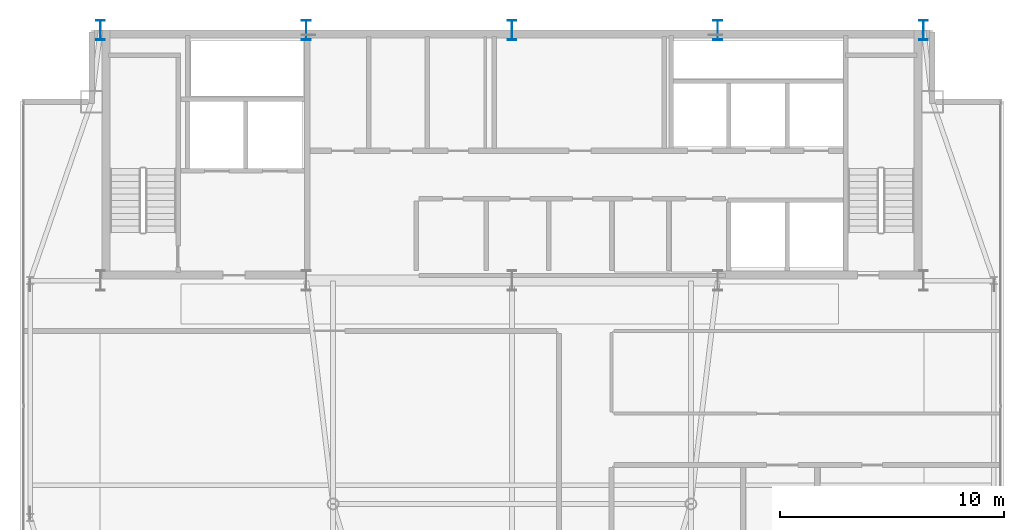
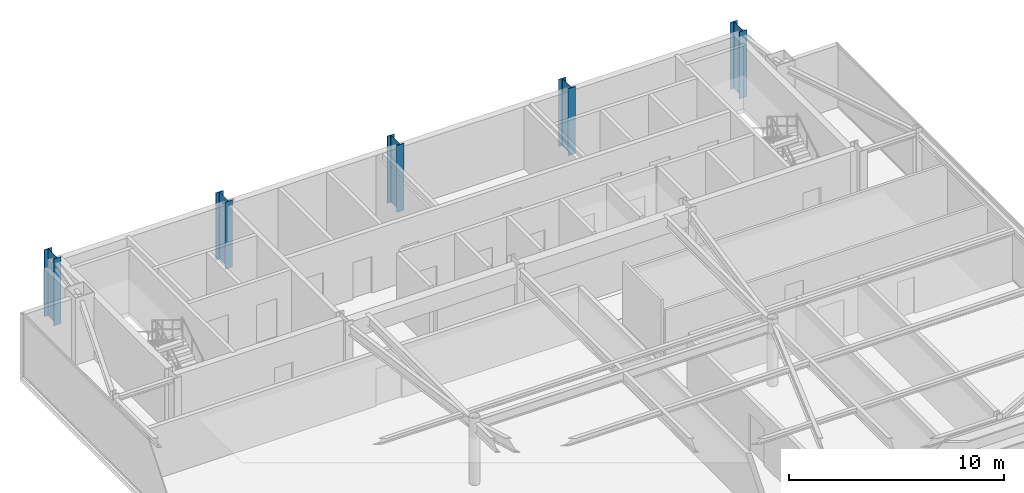
# One storey, part 3 of 24: 5 columns.
"""IFC4 building model written with IfcOpenShell, lengths in metres."""

from ifc_helpers import new_model, si_unit, direction, frame, origin, origin_2d, place, context, subcontext, project, spatial, i_section, extrude, source, transform, mapped, material, material_profile, profile_set, type_object, type_shapes, element, save


model = new_model("IFC4")

# Units and contexts
model_context = context("Model", 3, precision=1e-05, world=origin(), true_north=direction((0.0, 1.0)))
body_context = subcontext(model_context, "Body", "Model", "MODEL_VIEW")
ifc_project = project(units=[si_unit("LENGTHUNIT", "METRE"), si_unit("AREAUNIT", "SQUARE_METRE"), si_unit("VOLUMEUNIT", "CUBIC_METRE"), si_unit("PLANEANGLEUNIT", "RADIAN"), si_unit("MASSUNIT", "GRAM", prefix="KILO")], contexts=[model_context])

# Site, building, storey
site_placement = place(None, origin())
site = spatial("IfcSite", under=ifc_project, at=site_placement, CompositionType="ELEMENT")
building_placement = place(site_placement, origin())
building = spatial("IfcBuilding", under=site, at=building_placement, Name="Varnel Quay Broadcast Tower", CompositionType="ELEMENT")
storey_placement = place(building_placement, frame((0.0, 0.0, 285.0)))
storey = spatial("IfcBuildingStorey", under=building, at=storey_placement, Name="L71", CompositionType="ELEMENT", Elevation=285.0)

# Columns
ifc_material = material(Name="Structural Steel CSA G40.21 350WT", Category="steel")
ifc_material_profile = material_profile(ifc_material, i_section(OverallWidth=0.39990234375, OverallDepth=0.89990234375, WebThickness=0.01611328125, FlangeThickness=0.028076171875, FilletRadius=0.01611328125, at=origin_2d()), Name="WWF900X309")
ifc_profile_set = profile_set([ifc_material_profile], Name="Structural Steel CSA G40.21 350WT")
column_type = type_object("IfcColumnType", Name="Col_WWF900X309", PredefinedType="COLUMN", material=ifc_profile_set)
shared_shape = source(origin(), body_context, "Body", "SweptSolid", [
    extrude(i_section(OverallWidth=0.39990234375, OverallDepth=0.89990234375, WebThickness=0.01611328125, FlangeThickness=0.028076171875, FilletRadius=0.01611328125, at=origin_2d()), origin(), (0.0, 0.0, 1.0), 3.800048828125),
])
type_shapes(column_type, [shared_shape])
for number, where, z_axis, x_axis, name in (
    (1, (15.60009765625, 46.800048828125, 0.0), (0.0, 0.0, 1.0), (1.0, 0.0, 0.0), "L71 Column CC-N1"),
    (2, (24.800048828125, 46.800048828125, 0.0), (0.0, 0.0, 1.0), (1.0, 0.0, 0.0), "L71 Column CC-N2"),
    (3, (34.0, 46.800048828125, 0.0), (0.0, 0.0, 1.0), (1.0, 0.0, 0.0), "L71 Column CC-N3"),
    (4, (43.199951171875, 46.800048828125, 0.0), (0.0, 0.0, 1.0), (1.0, 0.0, 0.0), "L71 Column CC-N4"),
    (5, (52.39990234375, 46.800048828125, 0.0), (0.0, 0.0, 1.0), (1.0, 0.0, 0.0), "L71 Column CC-N5"),
):
    element("IfcColumn", number, at=place(storey_placement, frame(where, z_axis=z_axis, x_axis=x_axis)), inside=storey, type_object=column_type, Name=name, PredefinedType="COLUMN", context=body_context, shape_type="MappedRepresentation", body=[
        mapped(shared_shape, transform((0.0, 0.0, 0.0), x_axis=(1.0, 0.0, 0.0), y_axis=(0.0, 1.0, 0.0), z_axis=(0.0, 0.0, 1.0), scale=1.0)),
    ])

save(model, "model.ifc")
